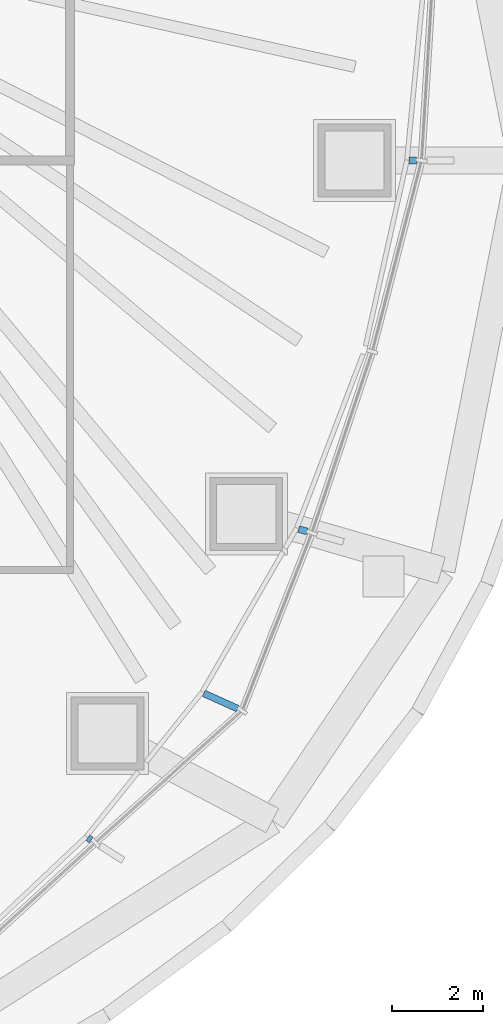
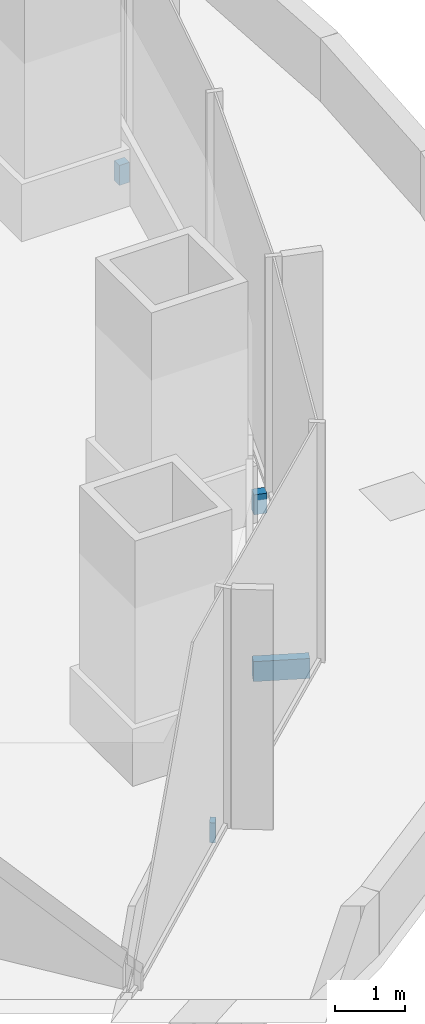
# One storey, part 16 of 20: 4 discrete accessories.
"""IFC4 building model written with IfcOpenShell, lengths in metres."""

from ifc_helpers import new_model, si_unit, direction, frame, origin, origin_2d, place, context, subcontext, project, spatial, rectangle, extrude, material, type_object, element, save


model = new_model("IFC4")

# Units and contexts
model_context = context("Model", 3, precision=1e-05, world=origin(), true_north=direction((0.0, 1.0)))
body_context = subcontext(model_context, "Body", "Model", "MODEL_VIEW")
ifc_project = project(units=[si_unit("LENGTHUNIT", "METRE"), si_unit("AREAUNIT", "SQUARE_METRE"), si_unit("VOLUMEUNIT", "CUBIC_METRE"), si_unit("PLANEANGLEUNIT", "RADIAN"), si_unit("MASSUNIT", "GRAM", prefix="KILO")], contexts=[model_context])

# Site, building, storey
site_placement = place(None, origin())
site = spatial("IfcSite", under=ifc_project, at=site_placement, CompositionType="ELEMENT")
building_placement = place(site_placement, origin())
building = spatial("IfcBuilding", under=site, at=building_placement, Name="Ghaith Harvest Tower", CompositionType="ELEMENT")
storey_placement = place(building_placement, frame((0.0, 0.0, 105.0)))
storey = spatial("IfcBuildingStorey", under=building, at=storey_placement, Name="L21", CompositionType="ELEMENT", Elevation=105.0)

# Discrete accessories
ifc_material_1 = material(Name="Stainless steel grade 1.4401", Category="steel")
discrete_accessory_type_1 = type_object("IfcDiscreteAccessoryType", Name="CURTAIN WALL BRACKET 165", PredefinedType="BRACKET", material=ifc_material_1)
discrete_accessory_1_placement = place(storey_placement, frame((30.5361328125, 0.0, -0.25), z_axis=(0.0, 0.0, 1.0), x_axis=(1.0, 0.0, 0.0)))
element("IfcDiscreteAccessory", 1, at=discrete_accessory_1_placement, inside=storey, type_object=discrete_accessory_type_1, Name="CW-L bracket 1 bay 01 L21", PredefinedType="BRACKET", context=body_context, shape_type="SweptSolid", body=[
    extrude(rectangle(XDim=0.1650390625, YDim=0.14990234375, at=origin_2d()), origin(), (0.0, 0.0, 1.0), 0.35009765625),
])
ifc_material_2 = material(Name="Stainless steel grade 1.4401", Category="steel")
discrete_accessory_type_2 = type_object("IfcDiscreteAccessoryType", Name="CURTAIN WALL BRACKET 195", PredefinedType="BRACKET", material=ifc_material_2)
discrete_accessory_2_placement = place(storey_placement, frame((28.1201171875, -8.127197265625, -0.25), z_axis=(0.0, 0.0, 1.0), x_axis=(0.960680349932, -0.277656739976, 0.0)))
element("IfcDiscreteAccessory", 2, at=discrete_accessory_2_placement, inside=storey, type_object=discrete_accessory_type_2, Name="CW-L bracket 1 bay 20 L21", PredefinedType="BRACKET", context=body_context, shape_type="SweptSolid", body=[
    extrude(rectangle(XDim=0.195068359375, YDim=0.14990234375, at=origin_2d()), origin(), (0.0, 0.0, 1.0), 0.35009765625),
])
ifc_material_3 = material(Name="Stainless steel grade 1.4401", Category="steel")
discrete_accessory_type_3 = type_object("IfcDiscreteAccessoryType", Name="CURTAIN WALL BRACKET 815", PredefinedType="BRACKET", material=ifc_material_3)
discrete_accessory_3_placement = place(storey_placement, frame((26.314697265625, -11.879638671875, -0.25), z_axis=(0.0, 0.0, 1.0), x_axis=(0.911426750831, -0.41146236507, 0.0)))
element("IfcDiscreteAccessory", 3, at=discrete_accessory_3_placement, inside=storey, type_object=discrete_accessory_type_3, Name="CW-L bracket 2 bay 19 L21", PredefinedType="BRACKET", context=body_context, shape_type="SweptSolid", body=[
    extrude(rectangle(XDim=0.81494140625, YDim=0.14990234375, at=origin_2d()), origin(), (0.0, 0.0, 1.0), 0.35009765625),
])
ifc_material_4 = material(Name="Stainless steel grade 1.4401", Category="steel")
discrete_accessory_type_4 = type_object("IfcDiscreteAccessoryType", Name="CURTAIN WALL BRACKET 85", PredefinedType="BRACKET", material=ifc_material_4)
discrete_accessory_4_placement = place(storey_placement, frame((23.431884765625, -14.912353515625, -0.25), z_axis=(0.0, 0.0, 1.0), x_axis=(0.84364397137, -0.536903016913, 0.0)))
element("IfcDiscreteAccessory", 4, at=discrete_accessory_4_placement, inside=storey, type_object=discrete_accessory_type_4, Name="CW-L bracket 1 bay 19 L21", PredefinedType="BRACKET", context=body_context, shape_type="SweptSolid", body=[
    extrude(rectangle(XDim=0.0849609375, YDim=0.14990234375, at=origin_2d()), origin(), (0.0, 0.0, 1.0), 0.35009765625),
])

save(model, "model.ifc")
